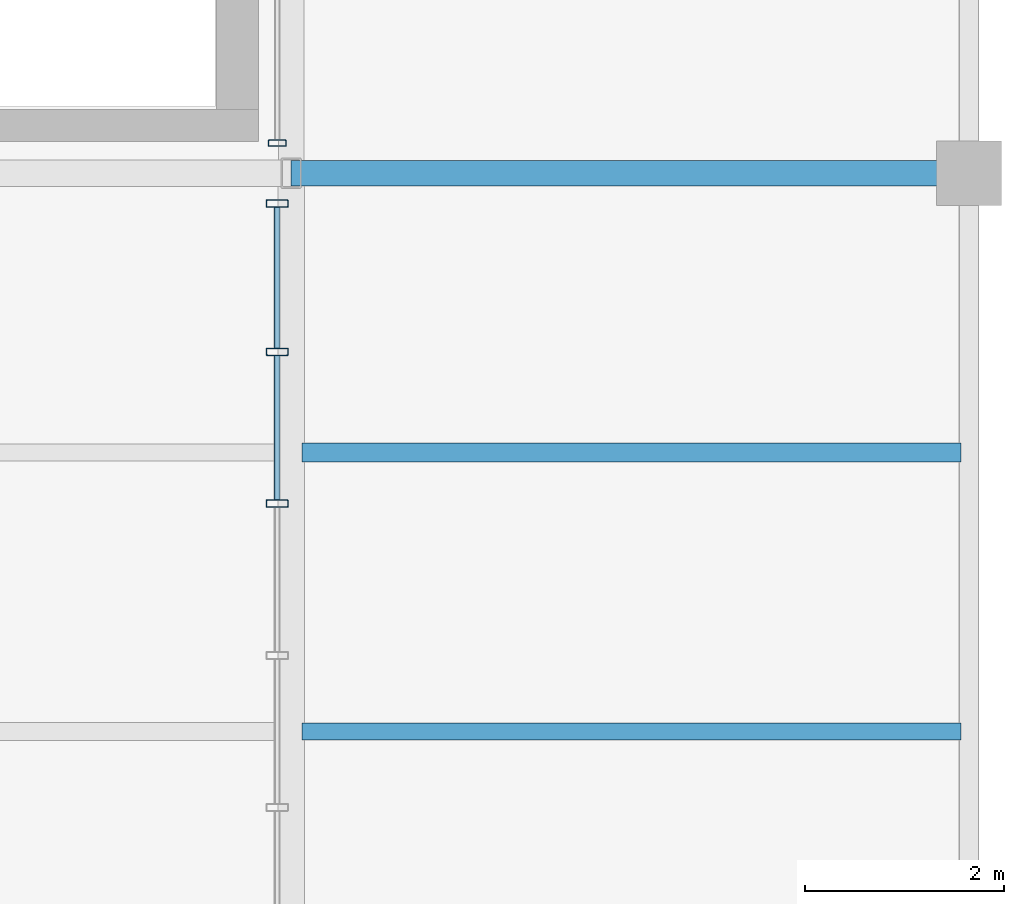
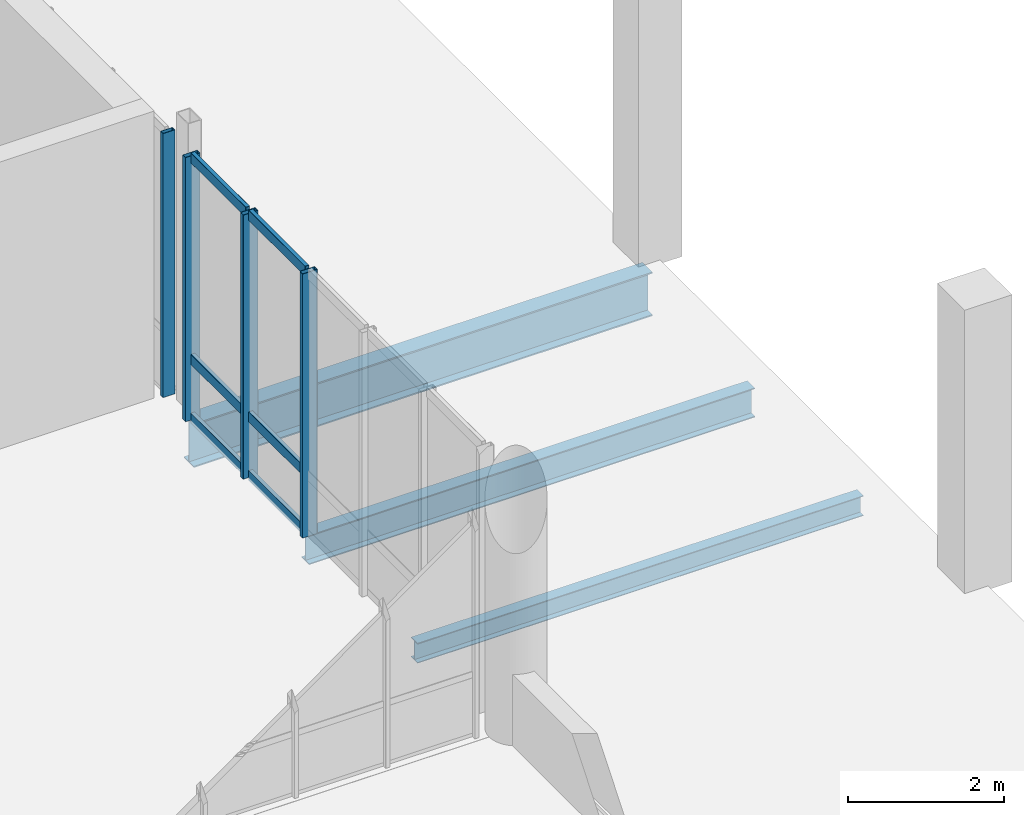
# One storey, part 41 of 68: 10 members, 3 beams, 2 elements without a shape of their own.
"""IFC4 building model written with IfcOpenShell, lengths in metres."""

from ifc_helpers import new_model, si_unit, direction, frame, origin_with_axes, origin_2d_with_axis, place, context, subcontext, project, spatial, hollow_rectangle, i_section, extrude, material, material_profile, profile_set, type_object, element, aggregate, save


model = new_model("IFC4")

# Units and contexts
model_context = context("Model", 3, precision=1e-05, world=origin_with_axes(), true_north=direction((0.0, 1.0)))
body_context = subcontext(model_context, "Body", "Model", "MODEL_VIEW")
ifc_project = project(units=[si_unit("LENGTHUNIT", "METRE"), si_unit("AREAUNIT", "SQUARE_METRE"), si_unit("VOLUMEUNIT", "CUBIC_METRE"), si_unit("PLANEANGLEUNIT", "RADIAN"), si_unit("MASSUNIT", "GRAM", prefix="KILO"), si_unit("THERMODYNAMICTEMPERATUREUNIT", "KELVIN")], contexts=[model_context])

# Site, building, storey
site_placement = place(None, origin_with_axes())
site = spatial("IfcSite", under=ifc_project, at=site_placement, CompositionType="ELEMENT")
building_placement = place(site_placement, origin_with_axes())
building = spatial("IfcBuilding", under=site, at=building_placement, Name="Montbau Bow Law Courts", CompositionType="ELEMENT")
storey_placement = place(building_placement, frame((0.0, 0.0, 20.4), z_axis=(0.0, 0.0, 1.0), x_axis=(1.0, 0.0, 0.0)))
storey = spatial("IfcBuildingStorey", under=building, at=storey_placement, Name="L04", CompositionType="ELEMENT", Elevation=20.4)

# Beams
ifc_material_1 = material(Name="Steel CSA G40.21 Grade 350W (350 MPa)", Category="steel")
ifc_material_profile_1 = material_profile(ifc_material_1, i_section(OverallWidth=0.254, OverallDepth=0.688, WebThickness=0.0131, FlangeThickness=0.0211, at=origin_2d_with_axis()), Name="W690X152", Category="Main", Priority=0)
ifc_profile_set_1 = profile_set([ifc_material_profile_1], Name="Steel CSA G40.21 Grade 350W (350 MPa)")
beam_type_1 = type_object("IfcBeamType", Name="B-FLR-04", PredefinedType="BEAM", material=ifc_profile_set_1)
beam_1_placement = place(None, frame((162.6, 86.4, 19.806), z_axis=(1.0, 0.0, 0.0), x_axis=(0.0, 1.0, 0.0)))
element("IfcBeam", 1, at=beam_1_placement, inside=storey, type_object=beam_type_1, Name="BM-L04-S1256:bm2_1259", PredefinedType="BEAM", context=body_context, shape_type="SweptSolid", body=[
    extrude(i_section(OverallWidth=0.254, OverallDepth=0.688, WebThickness=0.0131, FlangeThickness=0.0211, at=origin_2d_with_axis()), origin_with_axes(), (0.0, 0.0, 1.0), 6.8),
])
ifc_material_profile_2 = material_profile(ifc_material_1, i_section(OverallWidth=0.191, OverallDepth=0.46, WebThickness=0.0099, FlangeThickness=0.016, at=origin_2d_with_axis()), Name="W460X82", Category="Main", Priority=0)
ifc_profile_set_2 = profile_set([ifc_material_profile_2], Name="Steel CSA G40.21 Grade 350W (350 MPa)")
beam_type_2 = type_object("IfcBeamType", Name="B-JST-01", PredefinedType="JOIST", material=ifc_profile_set_2)
beam_2_placement = place(None, frame((162.709, 83.6, 19.81), z_axis=(1.0, 0.0, 0.0), x_axis=(0.0, 1.0, 0.0)))
element("IfcBeam", 2, at=beam_2_placement, inside=storey, type_object=beam_type_2, Name="JST-L04-S0688:jst2_0688", PredefinedType="JOIST", context=body_context, shape_type="SweptSolid", body=[
    extrude(i_section(OverallWidth=0.191, OverallDepth=0.46, WebThickness=0.0099, FlangeThickness=0.016, at=origin_2d_with_axis()), origin_with_axes(), (0.0, 0.0, 1.0), 6.611),
])
ifc_material_profile_3 = material_profile(ifc_material_1, i_section(OverallWidth=0.166, OverallDepth=0.313, WebThickness=0.0066, FlangeThickness=0.0112, at=origin_2d_with_axis()), Name="W310X45", Category="Main", Priority=0)
ifc_profile_set_3 = profile_set([ifc_material_profile_3], Name="Steel CSA G40.21 Grade 350W (350 MPa)")
beam_type_3 = type_object("IfcBeamType", Name="B-JST-04", PredefinedType="JOIST", material=ifc_profile_set_3)
beam_3_placement = place(None, frame((162.709, 80.8, 19.883), z_axis=(1.0, 0.0, 0.0), x_axis=(0.0, 1.0, 0.0)))
element("IfcBeam", 3, at=beam_3_placement, inside=storey, type_object=beam_type_3, Name="JST-L04-S0687:jst2_0687", PredefinedType="JOIST", context=body_context, shape_type="SweptSolid", body=[
    extrude(i_section(OverallWidth=0.166, OverallDepth=0.313, WebThickness=0.0066, FlangeThickness=0.0112, at=origin_2d_with_axis()), origin_with_axes(), (0.0, 0.0, 1.0), 6.611),
])

# Curtain wall, members
ifc_material_2 = material(Name="Thermally Broken Extruded Aluminium AA 6063-T6", Category="aluminium")
curtain_wall_type = type_object("IfcCurtainWallType", Name="CW-NCK-01", PredefinedType="NOTDEFINED", material=ifc_material_2)
curtain_wall_1_placement = place(None, frame((162.46, 78.515, 20.4), z_axis=(0.0, 0.0, 1.0), x_axis=(1.0, 0.0, 0.0)))
curtain_wall_1 = element("IfcCurtainWall", 4, at=curtain_wall_1_placement, inside=storey, type_object=curtain_wall_type, Name="CW-L04-330:cw_0330", PredefinedType="NOTDEFINED")
ifc_material_profile_4 = material_profile(ifc_material_2, hollow_rectangle(XDim=0.075, YDim=0.22, WallThickness=0.005, InnerFilletRadius=0.01, OuterFilletRadius=0.005, at=origin_2d_with_axis()), Name="CWM-220X75", Category="Main", Priority=0)
ifc_profile_set_4 = profile_set([ifc_material_profile_4], Name="Thermally Broken Extruded Aluminium AA 6063-T6")
member_type_1 = type_object("IfcMemberType", Name="M-MUL-01", PredefinedType="MULLION", material=ifc_profile_set_4)
member_1_placement = place(None, frame((162.46, 83.086, 20.4), z_axis=(0.0, 0.0, 1.0), x_axis=(0.0, 1.0, 0.0)))
member_1 = element("IfcMember", 5, at=member_1_placement, type_object=member_type_1, Name="CW-L04-330-M04:cw_0330_M04", PredefinedType="MULLION", context=body_context, shape_type="SweptSolid", body=[
    extrude(hollow_rectangle(XDim=0.075, YDim=0.22, WallThickness=0.005, InnerFilletRadius=0.01, OuterFilletRadius=0.005, at=origin_2d_with_axis()), origin_with_axes(), (0.0, 0.0, 1.0), 4.14),
])
member_2_placement = place(None, frame((162.46, 84.609, 20.4), z_axis=(0.0, 0.0, 1.0), x_axis=(0.0, 1.0, 0.0)))
member_2 = element("IfcMember", 6, at=member_2_placement, type_object=member_type_1, Name="CW-L04-330-M05:cw_0330_M05", PredefinedType="MULLION", context=body_context, shape_type="SweptSolid", body=[
    extrude(hollow_rectangle(XDim=0.075, YDim=0.22, WallThickness=0.005, InnerFilletRadius=0.01, OuterFilletRadius=0.005, at=origin_2d_with_axis()), origin_with_axes(), (0.0, 0.0, 1.0), 4.14),
])
member_3_placement = place(None, frame((162.46, 86.095, 20.4), z_axis=(0.0, 0.0, 1.0), x_axis=(0.0, 1.0, 0.0)))
member_3 = element("IfcMember", 7, at=member_3_placement, type_object=member_type_1, Name="CW-L04-330-M06:cw_0330_M06", PredefinedType="MULLION", context=body_context, shape_type="SweptSolid", body=[
    extrude(hollow_rectangle(XDim=0.075, YDim=0.22, WallThickness=0.005, InnerFilletRadius=0.01, OuterFilletRadius=0.005, at=origin_2d_with_axis()), origin_with_axes(), (0.0, 0.0, 1.0), 4.14),
])

# Curtain wall, member
curtain_wall_2_placement = place(None, frame((162.46, 86.668, 20.4), z_axis=(0.0, 0.0, 1.0), x_axis=(1.0, 0.0, 0.0)))
curtain_wall_2 = element("IfcCurtainWall", 8, at=curtain_wall_2_placement, inside=storey, type_object=curtain_wall_type, Name="CW-L04-331:cw_0331", PredefinedType="NOTDEFINED")
ifc_material_profile_5 = material_profile(ifc_material_2, hollow_rectangle(XDim=0.065, YDim=0.18, WallThickness=0.005, InnerFilletRadius=0.01, OuterFilletRadius=0.005, at=origin_2d_with_axis()), Name="CWM-180X65", Category="Main", Priority=0)
ifc_profile_set_5 = profile_set([ifc_material_profile_5], Name="Thermally Broken Extruded Aluminium AA 6063-T6")
member_type_2 = type_object("IfcMemberType", Name="M-MUL-02", PredefinedType="MULLION", material=ifc_profile_set_5)
member_4_placement = place(None, frame((162.46, 86.701, 20.4), z_axis=(0.0, 0.0, 1.0), x_axis=(0.0, 1.0, 0.0)))
member_4 = element("IfcMember", 9, at=member_4_placement, type_object=member_type_2, Name="CW-L04-331-M01:cw_0331_M01", PredefinedType="MULLION", context=body_context, shape_type="SweptSolid", body=[
    extrude(hollow_rectangle(XDim=0.065, YDim=0.18, WallThickness=0.005, InnerFilletRadius=0.01, OuterFilletRadius=0.005, at=origin_2d_with_axis()), origin_with_axes(), (0.0, 0.0, 1.0), 4.14),
])
aggregate(curtain_wall_2, [member_4])

# Member
ifc_material_profile_6 = material_profile(ifc_material_2, hollow_rectangle(XDim=0.06, YDim=0.16, WallThickness=0.004, InnerFilletRadius=0.008, OuterFilletRadius=0.004, at=origin_2d_with_axis()), Name="CWT-160X60", Category="Main", Priority=0)
ifc_profile_set_6 = profile_set([ifc_material_profile_6], Name="Thermally Broken Extruded Aluminium AA 6063-T6")
member_type_3 = type_object("IfcMemberType", Name="M-TRN-01", PredefinedType="USERDEFINED", material=ifc_profile_set_6)
member_5_placement = place(None, frame((162.46, 83.125, 20.43), z_axis=(0.0, 1.0, 0.0), x_axis=(-1.0, 0.0, 0.0)))
member_5 = element("IfcMember", 10, at=member_5_placement, type_object=member_type_3, Name="CW-L04-330-T04-1:cw_0330_T04_1", ObjectType="TRANSOM", PredefinedType="USERDEFINED", context=body_context, shape_type="SweptSolid", body=[
    extrude(hollow_rectangle(XDim=0.06, YDim=0.16, WallThickness=0.004, InnerFilletRadius=0.008, OuterFilletRadius=0.004, at=origin_2d_with_axis()), origin_with_axes(), (0.0, 0.0, 1.0), 1.445),
])

member_6_placement = place(None, frame((162.46, 83.125, 21.35), z_axis=(0.0, 1.0, 0.0), x_axis=(-1.0, 0.0, 0.0)))
member_6 = element("IfcMember", 11, at=member_6_placement, type_object=member_type_3, Name="CW-L04-330-T04-2:cw_0330_T04_2", ObjectType="TRANSOM", PredefinedType="USERDEFINED", context=body_context, shape_type="SweptSolid", body=[
    extrude(hollow_rectangle(XDim=0.06, YDim=0.16, WallThickness=0.004, InnerFilletRadius=0.008, OuterFilletRadius=0.004, at=origin_2d_with_axis()), origin_with_axes(), (0.0, 0.0, 1.0), 1.445),
])

member_7_placement = place(None, frame((162.46, 83.125, 24.51), z_axis=(0.0, 1.0, 0.0), x_axis=(-1.0, 0.0, 0.0)))
member_7 = element("IfcMember", 12, at=member_7_placement, type_object=member_type_3, Name="CW-L04-330-T04-3:cw_0330_T04_3", ObjectType="TRANSOM", PredefinedType="USERDEFINED", context=body_context, shape_type="SweptSolid", body=[
    extrude(hollow_rectangle(XDim=0.06, YDim=0.16, WallThickness=0.004, InnerFilletRadius=0.008, OuterFilletRadius=0.004, at=origin_2d_with_axis()), origin_with_axes(), (0.0, 0.0, 1.0), 1.445),
])

member_8_placement = place(None, frame((162.46, 84.648, 20.43), z_axis=(0.0, 1.0, 0.0), x_axis=(-1.0, 0.0, 0.0)))
member_8 = element("IfcMember", 13, at=member_8_placement, type_object=member_type_3, Name="CW-L04-330-T05-1:cw_0330_T05_1", ObjectType="TRANSOM", PredefinedType="USERDEFINED", context=body_context, shape_type="SweptSolid", body=[
    extrude(hollow_rectangle(XDim=0.06, YDim=0.16, WallThickness=0.004, InnerFilletRadius=0.008, OuterFilletRadius=0.004, at=origin_2d_with_axis()), origin_with_axes(), (0.0, 0.0, 1.0), 1.408),
])

member_9_placement = place(None, frame((162.46, 84.648, 21.35), z_axis=(0.0, 1.0, 0.0), x_axis=(-1.0, 0.0, 0.0)))
member_9 = element("IfcMember", 14, at=member_9_placement, type_object=member_type_3, Name="CW-L04-330-T05-2:cw_0330_T05_2", ObjectType="TRANSOM", PredefinedType="USERDEFINED", context=body_context, shape_type="SweptSolid", body=[
    extrude(hollow_rectangle(XDim=0.06, YDim=0.16, WallThickness=0.004, InnerFilletRadius=0.008, OuterFilletRadius=0.004, at=origin_2d_with_axis()), origin_with_axes(), (0.0, 0.0, 1.0), 1.408),
])

member_10_placement = place(None, frame((162.46, 84.648, 24.51), z_axis=(0.0, 1.0, 0.0), x_axis=(-1.0, 0.0, 0.0)))
member_10 = element("IfcMember", 15, at=member_10_placement, type_object=member_type_3, Name="CW-L04-330-T05-3:cw_0330_T05_3", ObjectType="TRANSOM", PredefinedType="USERDEFINED", context=body_context, shape_type="SweptSolid", body=[
    extrude(hollow_rectangle(XDim=0.06, YDim=0.16, WallThickness=0.004, InnerFilletRadius=0.008, OuterFilletRadius=0.004, at=origin_2d_with_axis()), origin_with_axes(), (0.0, 0.0, 1.0), 1.408),
])

aggregate(curtain_wall_1, [member_1, member_2, member_3, member_5, member_6, member_7, member_8, member_9, member_10])

save(model, "model.ifc")
